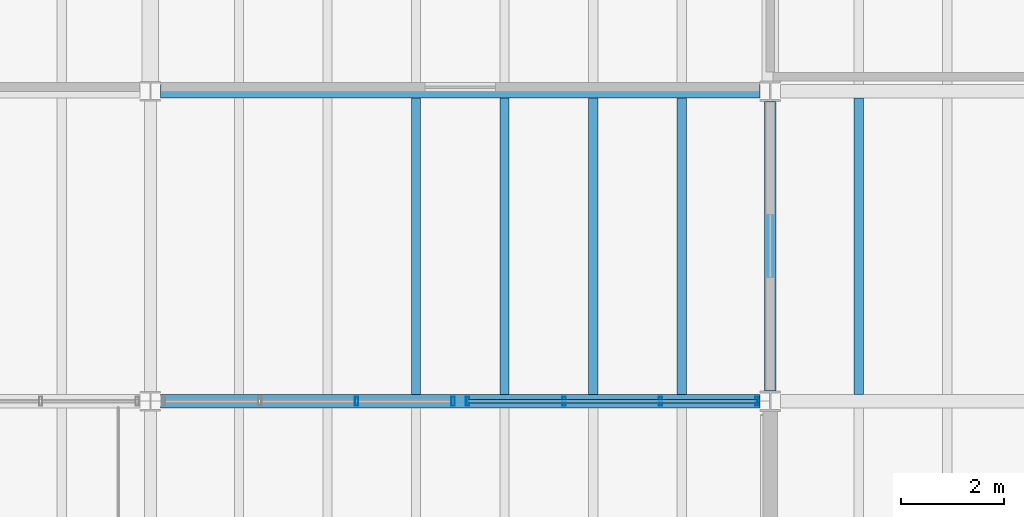
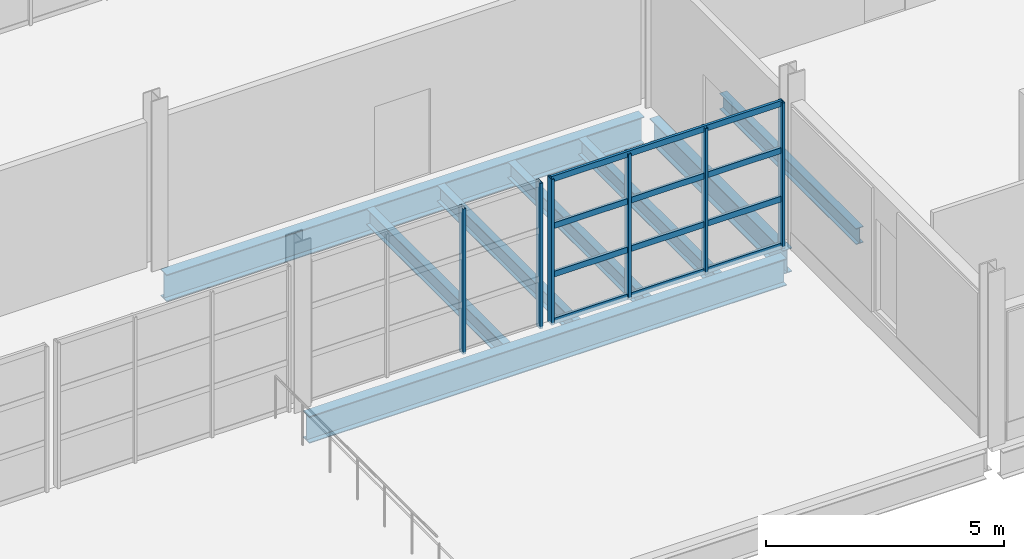
# One storey, part 24 of 78: 10 members, 8 beams, 2 elements without a shape of their own.
"""IFC4 building model written with IfcOpenShell, lengths in metres."""

from ifc_helpers import new_model, si_unit, direction, frame, origin, origin_2d, place, context, subcontext, project, spatial, hollow_rectangle, i_section, extrude, material, material_profile, profile_set, type_object, element, aggregate, save


model = new_model("IFC4")

# Units and contexts
model_context = context("Model", 3, precision=1e-05, world=origin(), true_north=direction((0.0, 1.0)))
body_context = subcontext(model_context, "Body", "Model", "MODEL_VIEW")
ifc_project = project(units=[si_unit("LENGTHUNIT", "METRE"), si_unit("AREAUNIT", "SQUARE_METRE"), si_unit("VOLUMEUNIT", "CUBIC_METRE"), si_unit("PLANEANGLEUNIT", "RADIAN"), si_unit("MASSUNIT", "GRAM", prefix="KILO")], contexts=[model_context])

# Site, building, storey
site_placement = place(None, origin())
site = spatial("IfcSite", under=ifc_project, at=site_placement, CompositionType="ELEMENT")
building_placement = place(site_placement, origin())
building = spatial("IfcBuilding", under=site, at=building_placement, Name="Kelmvaro Bay Concert Hall", CompositionType="ELEMENT")
storey_placement = place(building_placement, frame((0.0, 0.0, 9.300048828125)))
storey = spatial("IfcBuildingStorey", under=building, at=storey_placement, Name="L02", CompositionType="ELEMENT", Elevation=9.300048828125)

# Curtain wall, members
ifc_material_1 = material(Name="Anodised Aluminium and Low-E Insulated Glazing", Category="aluminium")
curtain_wall_type = type_object("IfcCurtainWallType", Name="Upper Salon Waterfront Curtain Wall 4050", PredefinedType="USERDEFINED", material=ifc_material_1)
curtain_wall_1_placement = place(storey_placement, origin())
curtain_wall_1 = element("IfcCurtainWall", 1, at=curtain_wall_1_placement, inside=storey, type_object=curtain_wall_type, Name="Unitised Curtain Wall CW-L02-086", ObjectType="UNITISED GLAZING", PredefinedType="USERDEFINED")
ifc_material_2 = material(Name="Anodised Extruded Aluminium 6063-T6", Category="aluminium")
ifc_material_profile_1 = material_profile(ifc_material_2, hollow_rectangle(XDim=0.06494140625, YDim=0.179931640625, WallThickness=0.00390625, at=origin_2d()), Name="ALU-MUL-180X65")
ifc_profile_set_1 = profile_set([ifc_material_profile_1], Name="Anodised Extruded Aluminium 6063-T6")
member_type_1 = type_object("IfcMemberType", Name="Curtain Mullion ALU 180x65", PredefinedType="MULLION", material=ifc_profile_set_1)
member_1_placement = place(storey_placement, frame((113.860107421875, 24.0, 0.0), z_axis=(0.0, 0.0, 1.0), x_axis=(1.0, 0.0, 0.0)))
member_1 = element("IfcMember", 2, at=member_1_placement, type_object=member_type_1, Name="CW-L02-086 Mullion 01", PredefinedType="MULLION", context=body_context, shape_type="SweptSolid", body=[
    extrude(hollow_rectangle(XDim=0.06494140625, YDim=0.179931640625, WallThickness=0.00390625, at=origin_2d()), origin(), (0.0, 0.0, 1.0), 3.739013671875),
])
member_2_placement = place(storey_placement, frame((111.990966796875, 24.0, 0.0), z_axis=(0.0, 0.0, 1.0), x_axis=(1.0, 0.0, 0.0)))
member_2 = element("IfcMember", 3, at=member_2_placement, type_object=member_type_1, Name="CW-L02-086 Mullion 02", PredefinedType="MULLION", context=body_context, shape_type="SweptSolid", body=[
    extrude(hollow_rectangle(XDim=0.06494140625, YDim=0.179931640625, WallThickness=0.00390625, at=origin_2d()), origin(), (0.0, 0.0, 1.0), 3.739013671875),
])
aggregate(curtain_wall_1, [member_1, member_2])

curtain_wall_2_placement = place(storey_placement, origin())
curtain_wall_2 = element("IfcCurtainWall", 4, at=curtain_wall_2_placement, inside=storey, type_object=curtain_wall_type, Name="Unitised Curtain Wall CW-L02-087", ObjectType="UNITISED GLAZING", PredefinedType="USERDEFINED")
member_3_placement = place(storey_placement, frame((119.744384765625, 24.0, 0.0), z_axis=(0.0, 0.0, 1.0), x_axis=(1.0, 0.0, 0.0)))
member_3 = element("IfcMember", 5, at=member_3_placement, type_object=member_type_1, Name="CW-L02-087 Mullion 01", PredefinedType="MULLION", context=body_context, shape_type="SweptSolid", body=[
    extrude(hollow_rectangle(XDim=0.06494140625, YDim=0.179931640625, WallThickness=0.00390625, at=origin_2d()), origin(), (0.0, 0.0, 1.0), 3.739013671875),
])
member_4_placement = place(storey_placement, frame((117.876220703125, 24.0, 0.0), z_axis=(0.0, 0.0, 1.0), x_axis=(1.0, 0.0, 0.0)))
member_4 = element("IfcMember", 6, at=member_4_placement, type_object=member_type_1, Name="CW-L02-087 Mullion 02", PredefinedType="MULLION", context=body_context, shape_type="SweptSolid", body=[
    extrude(hollow_rectangle(XDim=0.06494140625, YDim=0.179931640625, WallThickness=0.00390625, at=origin_2d()), origin(), (0.0, 0.0, 1.0), 3.739013671875),
])
member_5_placement = place(storey_placement, frame((116.00830078125, 24.0, 0.0), z_axis=(0.0, 0.0, 1.0), x_axis=(1.0, 0.0, 0.0)))
member_5 = element("IfcMember", 7, at=member_5_placement, type_object=member_type_1, Name="CW-L02-087 Mullion 03", PredefinedType="MULLION", context=body_context, shape_type="SweptSolid", body=[
    extrude(hollow_rectangle(XDim=0.06494140625, YDim=0.179931640625, WallThickness=0.00390625, at=origin_2d()), origin(), (0.0, 0.0, 1.0), 3.739013671875),
])
member_6_placement = place(storey_placement, frame((114.139892578125, 24.0, 0.0), z_axis=(0.0, 0.0, 1.0), x_axis=(1.0, 0.0, 0.0)))
member_6 = element("IfcMember", 8, at=member_6_placement, type_object=member_type_1, Name="CW-L02-087 Mullion 04", PredefinedType="MULLION", context=body_context, shape_type="SweptSolid", body=[
    extrude(hollow_rectangle(XDim=0.06494140625, YDim=0.179931640625, WallThickness=0.00390625, at=origin_2d()), origin(), (0.0, 0.0, 1.0), 3.739013671875),
])
ifc_material_3 = material(Name="Anodised Extruded Aluminium 6063-T6", Category="aluminium")
ifc_material_profile_2 = material_profile(ifc_material_3, hollow_rectangle(XDim=0.06494140625, YDim=0.14990234375, WallThickness=0.00390625, at=origin_2d()), Name="ALU-TRN-150X65")
ifc_profile_set_2 = profile_set([ifc_material_profile_2], Name="Anodised Extruded Aluminium 6063-T6")
member_type_2 = type_object("IfcMemberType", Name="Curtain Transom ALU 150x65", PredefinedType="USERDEFINED", material=ifc_profile_set_2)
member_7_placement = place(storey_placement, frame((119.744384765625, 24.0, 0.0400390625), z_axis=(-1.0, 0.0, 0.0), x_axis=(0.0, -1.0, 0.0)))
member_7 = element("IfcMember", 9, at=member_7_placement, type_object=member_type_2, Name="CW-L02-087 Transom 01", ObjectType="TRANSOM", PredefinedType="USERDEFINED", context=body_context, shape_type="SweptSolid", body=[
    extrude(hollow_rectangle(XDim=0.06494140625, YDim=0.14990234375, WallThickness=0.00390625, at=origin_2d()), origin(), (0.0, 0.0, 1.0), 5.6044921875),
])
member_8_placement = place(storey_placement, frame((119.744384765625, 24.0, 1.246337890625), z_axis=(-1.0, 0.0, 0.0), x_axis=(0.0, -1.0, 0.0)))
member_8 = element("IfcMember", 10, at=member_8_placement, type_object=member_type_2, Name="CW-L02-087 Transom 02", ObjectType="TRANSOM", PredefinedType="USERDEFINED", context=body_context, shape_type="SweptSolid", body=[
    extrude(hollow_rectangle(XDim=0.06494140625, YDim=0.14990234375, WallThickness=0.00390625, at=origin_2d()), origin(), (0.0, 0.0, 1.0), 5.6044921875),
])
member_9_placement = place(storey_placement, frame((119.744384765625, 24.0, 2.49267578125), z_axis=(-1.0, 0.0, 0.0), x_axis=(0.0, -1.0, 0.0)))
member_9 = element("IfcMember", 11, at=member_9_placement, type_object=member_type_2, Name="CW-L02-087 Transom 03", ObjectType="TRANSOM", PredefinedType="USERDEFINED", context=body_context, shape_type="SweptSolid", body=[
    extrude(hollow_rectangle(XDim=0.06494140625, YDim=0.14990234375, WallThickness=0.00390625, at=origin_2d()), origin(), (0.0, 0.0, 1.0), 5.6044921875),
])
member_10_placement = place(storey_placement, frame((119.744384765625, 24.0, 3.698974609375), z_axis=(-1.0, 0.0, 0.0), x_axis=(0.0, -1.0, 0.0)))
member_10 = element("IfcMember", 12, at=member_10_placement, type_object=member_type_2, Name="CW-L02-087 Transom 04", ObjectType="TRANSOM", PredefinedType="USERDEFINED", context=body_context, shape_type="SweptSolid", body=[
    extrude(hollow_rectangle(XDim=0.06494140625, YDim=0.14990234375, WallThickness=0.00390625, at=origin_2d()), origin(), (0.0, 0.0, 1.0), 5.6044921875),
])
aggregate(curtain_wall_2, [member_3, member_4, member_5, member_6, member_7, member_8, member_9, member_10])

# Beams
ifc_material_4 = material(Name="Steel ASTM A992 Grade 50", Category="steel")
ifc_material_profile_3 = material_profile(ifc_material_4, i_section(OverallWidth=0.256103515625, OverallDepth=0.693115234375, WebThickness=0.014404296875, FlangeThickness=0.023681640625, at=origin_2d()), Name="W27X114")
ifc_profile_set_3 = profile_set([ifc_material_profile_3], Name="Steel ASTM A992 Grade 50")
beam_type_1 = type_object("IfcBeamType", Name="Foyer Primary Girder W27x114", PredefinedType="BEAM", material=ifc_profile_set_3)
for number, where, z_axis, x_axis, name in (
    (13, (108.197998046875, 24.0, -0.596435546875), (1.0, 0.0, 0.0), (0.0, 1.0, 0.0), "L02 Girder BM-L02-EW-0706"),
    (14, (108.197998046875, 30.0, -0.596435546875), (1.0, 0.0, 0.0), (0.0, 1.0, 0.0), "L02 Girder BM-L02-EW-0716"),
):
    element("IfcBeam", number, at=place(storey_placement, frame(where, z_axis=z_axis, x_axis=x_axis)), inside=storey, type_object=beam_type_1, Name=name, PredefinedType="BEAM", context=body_context, shape_type="SweptSolid", body=[
        extrude(i_section(OverallWidth=0.256103515625, OverallDepth=0.693115234375, WebThickness=0.014404296875, FlangeThickness=0.023681640625, at=origin_2d()), origin(), (0.0, 0.0, 1.0), 11.6015625),
    ])
ifc_material_5 = material(Name="Steel ASTM A992 Grade 50", Category="steel")
ifc_material_profile_4 = material_profile(ifc_material_5, i_section(OverallWidth=0.179931640625, OverallDepth=0.4140625, WebThickness=0.009765625, FlangeThickness=0.01611328125, at=origin_2d()), Name="W16X50")
ifc_profile_set_4 = profile_set([ifc_material_profile_4], Name="Steel ASTM A992 Grade 50")
beam_type_2 = type_object("IfcBeamType", Name="Terrace Composite Joist W16x50", PredefinedType="JOIST", material=ifc_profile_set_4)
for number, where, z_axis, x_axis, name in (
    (15, (113.142822265625, 24.1279296875, -0.45703125), (0.0, 1.0, 0.0), (-1.0, 0.0, 0.0), "L02 Floor Joist JST-L02-1000"),
    (16, (114.857177734375, 24.1279296875, -0.45703125), (0.0, 1.0, 0.0), (-1.0, 0.0, 0.0), "L02 Floor Joist JST-L02-1001"),
    (17, (116.5712890625, 24.1279296875, -0.45703125), (0.0, 1.0, 0.0), (-1.0, 0.0, 0.0), "L02 Floor Joist JST-L02-1002"),
    (18, (118.28564453125, 24.1279296875, -0.45703125), (0.0, 1.0, 0.0), (-1.0, 0.0, 0.0), "L02 Floor Joist JST-L02-1003"),
    (19, (121.71435546875, 24.1279296875, -0.487060546875), (0.0, 1.0, 0.0), (-1.0, 0.0, 0.0), "L02 Floor Joist JST-L02-1004"),
):
    element("IfcBeam", number, at=place(storey_placement, frame(where, z_axis=z_axis, x_axis=x_axis)), inside=storey, type_object=beam_type_2, Name=name, PredefinedType="JOIST", context=body_context, shape_type="SweptSolid", body=[
        extrude(i_section(OverallWidth=0.179931640625, OverallDepth=0.4140625, WebThickness=0.009765625, FlangeThickness=0.01611328125, at=origin_2d()), origin(), (0.0, 0.0, 1.0), 5.744140625),
    ])
ifc_material_6 = material(Name="Steel ASTM A992 Grade 50", Category="steel")
ifc_material_profile_5 = material_profile(ifc_material_6, i_section(OverallWidth=0.22900390625, OverallDepth=0.612060546875, WebThickness=0.011962890625, FlangeThickness=0.01953125, at=origin_2d()), Name="W24X84")
ifc_profile_set_5 = profile_set([ifc_material_profile_5], Name="Steel ASTM A992 Grade 50")
beam_type_3 = type_object("IfcBeamType", Name="Terrace Edge Girder W24x84", PredefinedType="BEAM", material=ifc_profile_set_5)
beam_placement = place(storey_placement, frame((120.0, 24.197021484375, -0.5859375), z_axis=(0.0, 1.0, 0.0), x_axis=(-1.0, 0.0, 0.0)))
element("IfcBeam", 20, at=beam_placement, inside=storey, type_object=beam_type_3, Name="L02 Girder BM-L02-NS-0858", PredefinedType="BEAM", context=body_context, shape_type="SweptSolid", body=[
    extrude(i_section(OverallWidth=0.22900390625, OverallDepth=0.612060546875, WebThickness=0.011962890625, FlangeThickness=0.01953125, at=origin_2d()), origin(), (0.0, 0.0, 1.0), 5.60595703125),
])

save(model, "model.ifc")
